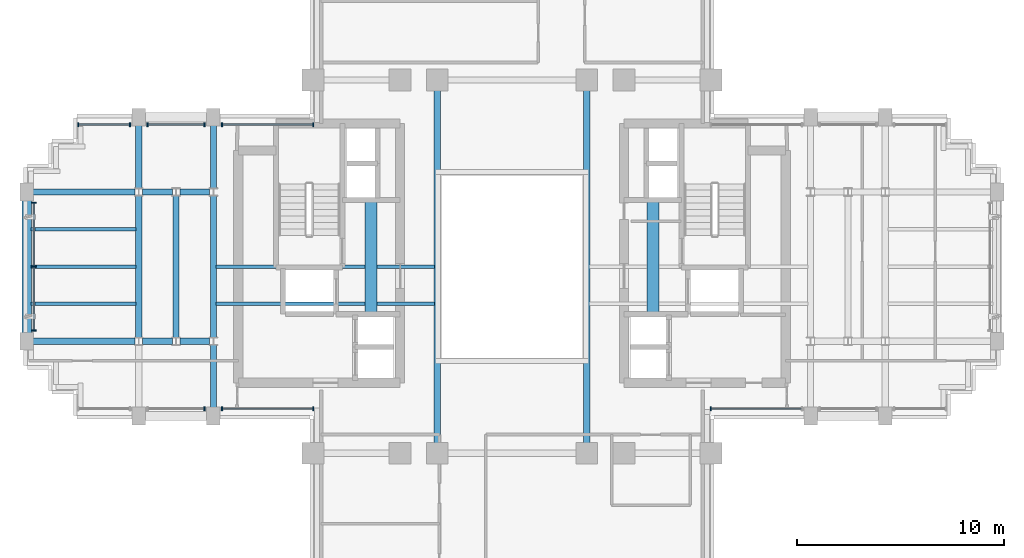
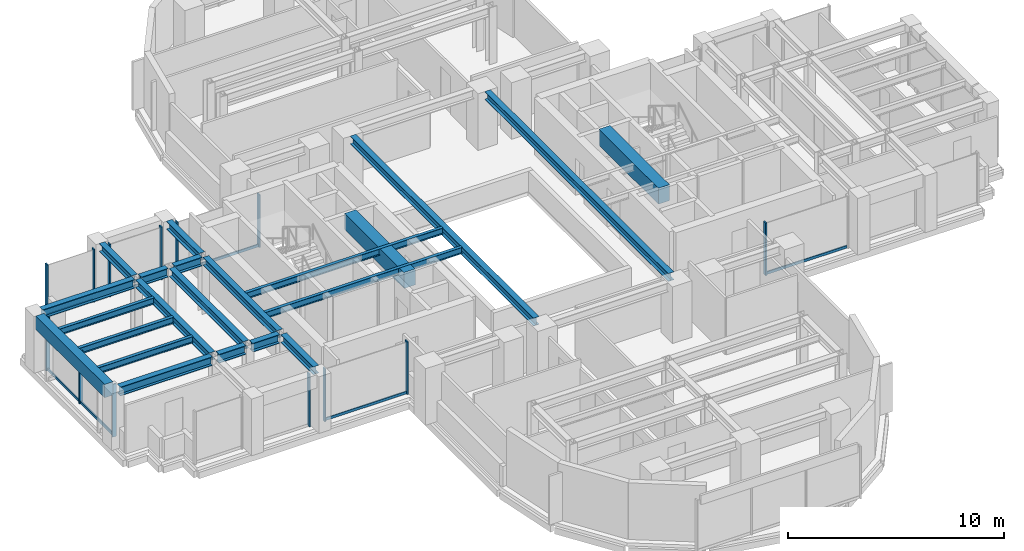
# One storey, part 4 of 14: 22 beams, 20 members, 7 elements without a shape of their own.
"""IFC4 building model written with IfcOpenShell, lengths in metres."""

from ifc_helpers import new_model, si_unit, direction, frame, origin, origin_2d, place, context, subcontext, project, spatial, rectangle, i_section, extrude, source, transform, mapped, material, material_profile, profile_set, type_object, element, aggregate, save


model = new_model("IFC4")

# Units and contexts
model_context = context("Model", 3, precision=1e-05, world=origin(), true_north=direction((0.0, 1.0)))
body_context = subcontext(model_context, "Body", "Model", "MODEL_VIEW")
ifc_project = project(units=[si_unit("LENGTHUNIT", "METRE"), si_unit("AREAUNIT", "SQUARE_METRE"), si_unit("VOLUMEUNIT", "CUBIC_METRE"), si_unit("PLANEANGLEUNIT", "RADIAN"), si_unit("MASSUNIT", "GRAM", prefix="KILO")], contexts=[model_context])

# Site, building, storey
site_placement = place(None, origin())
site = spatial("IfcSite", under=ifc_project, at=site_placement, CompositionType="ELEMENT")
building_placement = place(site_placement, origin())
building = spatial("IfcBuilding", under=site, at=building_placement, Name="Keilestroom Media Tower", CompositionType="ELEMENT")
storey_placement = place(building_placement, frame((0.0, 0.0, 134.60009765625)))
storey = spatial("IfcBuildingStorey", under=building, at=storey_placement, Name="L36", CompositionType="ELEMENT", Elevation=134.60009765625)

# Beams
ifc_material_1 = material(Name="Concrete C70/85", Category="concrete")
ifc_material_profile_1 = material_profile(ifc_material_1, rectangle(XDim=0.60009765625, YDim=0.89990234375, at=origin_2d()), Name="RC 600x900")
ifc_profile_set_1 = profile_set([ifc_material_profile_1], Name="Concrete C70/85")
beam_type_1 = type_object("IfcBeamType", Name="Core-Coupling-Lintel-Beam-RC-600x900", PredefinedType="LINTEL", material=ifc_profile_set_1)
shared_shape_1 = source(origin(), body_context, "Body", "SweptSolid", [
    extrude(rectangle(XDim=0.60009765625, YDim=0.89990234375, at=origin_2d()), origin(), (0.0, 0.0, 1.0), 5.52001953125),
])
for number, where, z_axis, x_axis, name in (
    (1, (-6.800048828125, -2.300048828125, 2.75), (0.0, 1.0, 0.0), (-1.0, 0.0, 0.0), "L36 Beam CLB-1 CLB-L36-W"),
    (2, (6.800048828125, -2.300048828125, 2.75), (0.0, 1.0, 0.0), (-1.0, 0.0, 0.0), "L36 Beam CLB-1 CLB-L36-E"),
):
    element("IfcBeam", number, at=place(storey_placement, frame(where, z_axis=z_axis, x_axis=x_axis)), inside=storey, type_object=beam_type_1, Name=name, PredefinedType="LINTEL", context=body_context, shape_type="MappedRepresentation", body=[
        mapped(shared_shape_1, transform((0.0, 0.0, 0.0), x_axis=(1.0, 0.0, 0.0), y_axis=(0.0, 1.0, 0.0), z_axis=(0.0, 0.0, 1.0), scale=1.0)),
    ])
ifc_material_2 = material(Name="Steel S355", Category="steel")
ifc_material_profile_2 = material_profile(ifc_material_2, i_section(OverallWidth=0.169921875, OverallDepth=0.360107421875, WebThickness=0.008056640625, FlangeThickness=0.0126953125, at=origin_2d()), Name="IPE 360")
ifc_profile_set_2 = profile_set([ifc_material_profile_2], Name="Steel S355")
beam_type_2 = type_object("IfcBeamType", Name="Secondary-Floor-Joist-IPE-360", PredefinedType="JOIST", material=ifc_profile_set_2)
shared_shape_2 = source(origin(), body_context, "Body", "SweptSolid", [
    extrude(i_section(OverallWidth=0.169921875, OverallDepth=0.360107421875, WebThickness=0.008056640625, FlangeThickness=0.0126953125, at=origin_2d()), origin(), (0.0, 0.0, 1.0), 10.5400390625),
])
for number, where, z_axis, x_axis, name in (
    (3, (-14.27001953125, -1.800048828125, 3.02001953125), (1.0, 0.0, 0.0), (0.0, 1.0, 0.0), "L36 Beam BJ-5 JST-L36-072"),
    (4, (-14.27001953125, 0.0, 3.02001953125), (1.0, 0.0, 0.0), (0.0, 1.0, 0.0), "L36 Beam BJ-5 JST-L36-077"),
):
    element("IfcBeam", number, at=place(storey_placement, frame(where, z_axis=z_axis, x_axis=x_axis)), inside=storey, type_object=beam_type_2, Name=name, PredefinedType="JOIST", context=body_context, shape_type="MappedRepresentation", body=[
        mapped(shared_shape_2, transform((0.0, 0.0, 0.0), x_axis=(1.0, 0.0, 0.0), y_axis=(0.0, 1.0, 0.0), z_axis=(0.0, 0.0, 1.0), scale=1.0)),
    ])
ifc_material_profile_3 = material_profile(ifc_material_2, i_section(OverallWidth=0.300048828125, OverallDepth=0.5, WebThickness=0.012451171875, FlangeThickness=0.028076171875, at=origin_2d()), Name="HEB 500")
ifc_profile_set_3 = profile_set([ifc_material_profile_3], Name="Steel S355")
beam_type_3 = type_object("IfcBeamType", Name="Primary-Structural-Girder-HEB-500", PredefinedType="BEAM", material=ifc_profile_set_3)
shared_shape_3 = source(origin(), body_context, "Body", "SweptSolid", [
    extrude(i_section(OverallWidth=0.300048828125, OverallDepth=0.5, WebThickness=0.012451171875, FlangeThickness=0.028076171875, at=origin_2d()), origin(), (0.0, 0.0, 1.0), 4.91455078125),
])
for number, where, z_axis, x_axis, name in (
    (5, (-23.094970703125, -3.60009765625, 2.949951171875), (1.0, 0.0, 0.0), (0.0, 1.0, 0.0), "L36 Beam BG-6 BM-L36-EW-014"),
    (6, (-23.094970703125, 3.60009765625, 2.949951171875), (1.0, 0.0, 0.0), (0.0, 1.0, 0.0), "L36 Beam BG-6 BM-L36-EW-020"),
):
    element("IfcBeam", number, at=place(storey_placement, frame(where, z_axis=z_axis, x_axis=x_axis)), inside=storey, type_object=beam_type_3, Name=name, PredefinedType="BEAM", context=body_context, shape_type="MappedRepresentation", body=[
        mapped(shared_shape_3, transform((0.0, 0.0, 0.0), x_axis=(1.0, 0.0, 0.0), y_axis=(0.0, 1.0, 0.0), z_axis=(0.0, 0.0, 1.0), scale=1.0)),
    ])
shared_shape_4 = source(origin(), body_context, "Body", "SweptSolid", [
    extrude(i_section(OverallWidth=0.300048828125, OverallDepth=0.5, WebThickness=0.012451171875, FlangeThickness=0.028076171875, at=origin_2d()), origin(), (0.0, 0.0, 1.0), 1.43896484375),
])
for number, where, z_axis, x_axis, name in (
    (7, (-17.819580078125, -3.60009765625, 2.949951171875), (1.0, 0.0, 0.0), (0.0, 1.0, 0.0), "L36 Beam BG-6 BM-L36-EW-015"),
    (8, (-16.01953125, -3.60009765625, 2.949951171875), (1.0, 0.0, 0.0), (0.0, 1.0, 0.0), "L36 Beam BG-6 BM-L36-EW-016"),
    (9, (-17.819580078125, 3.60009765625, 2.949951171875), (1.0, 0.0, 0.0), (0.0, 1.0, 0.0), "L36 Beam BG-6 BM-L36-EW-021"),
    (10, (-16.01953125, 3.60009765625, 2.949951171875), (1.0, 0.0, 0.0), (0.0, 1.0, 0.0), "L36 Beam BG-6 BM-L36-EW-022"),
):
    element("IfcBeam", number, at=place(storey_placement, frame(where, z_axis=z_axis, x_axis=x_axis)), inside=storey, type_object=beam_type_3, Name=name, PredefinedType="BEAM", context=body_context, shape_type="MappedRepresentation", body=[
        mapped(shared_shape_4, transform((0.0, 0.0, 0.0), x_axis=(1.0, 0.0, 0.0), y_axis=(0.0, 1.0, 0.0), z_axis=(0.0, 0.0, 1.0), scale=1.0)),
    ])
ifc_material_3 = material(Name="Precast concrete C40/50", Category="concrete")
ifc_material_profile_4 = material_profile(ifc_material_3, rectangle(XDim=0.449951171875, YDim=0.75, at=origin_2d()), Name="PC 450x750")
ifc_profile_set_4 = profile_set([ifc_material_profile_4], Name="Precast concrete C40/50")
beam_type_4 = type_object("IfcBeamType", Name="Perimeter-Spandrel-Beam-PC-450x750", PredefinedType="SPANDREL", material=ifc_profile_set_4)
shared_shape_5 = source(origin(), body_context, "Body", "SweptSolid", [
    extrude(rectangle(XDim=0.449951171875, YDim=0.75, at=origin_2d()), origin(), (0.0, 0.0, 1.0), 6.39013671875),
])
beam_placement = place(storey_placement, frame((-23.39990234375, -3.195068359375, 2.824951171875), z_axis=(0.0, 1.0, 0.0), x_axis=(-1.0, 0.0, 0.0)))
element("IfcBeam", 11, at=beam_placement, inside=storey, type_object=beam_type_4, Name="L36 Beam SPB-1 BM-L36-NS-039", PredefinedType="SPANDREL", context=body_context, shape_type="MappedRepresentation", body=[
    mapped(shared_shape_5, transform((0.0, 0.0, 0.0), x_axis=(1.0, 0.0, 0.0), y_axis=(0.0, 1.0, 0.0), z_axis=(0.0, 0.0, 1.0), scale=1.0)),
])
ifc_material_profile_5 = material_profile(ifc_material_2, i_section(OverallWidth=0.300048828125, OverallDepth=0.449951171875, WebThickness=0.011962890625, FlangeThickness=0.02587890625, at=origin_2d()), Name="HEB 450")
ifc_profile_set_5 = profile_set([ifc_material_profile_5], Name="Steel S355")
beam_type_5 = type_object("IfcBeamType", Name="Primary-Structural-Girder-HEB-450", PredefinedType="BEAM", material=ifc_profile_set_5)
shared_shape_6 = source(origin(), body_context, "Body", "SweptSolid", [
    extrude(i_section(OverallWidth=0.300048828125, OverallDepth=0.449951171875, WebThickness=0.011962890625, FlangeThickness=0.02587890625, at=origin_2d()), origin(), (0.0, 0.0, 1.0), 3.015380859375),
])
for number, where, z_axis, x_axis, name in (
    (12, (-18.0, 3.779541015625, 2.974853515625), (0.0, 1.0, 0.0), (-1.0, 0.0, 0.0), "L36 Beam BG-7 BM-L36-NS-042"),
    (13, (-14.39990234375, -6.794921875, 2.974853515625), (0.0, 1.0, 0.0), (-1.0, 0.0, 0.0), "L36 Beam BG-7 BM-L36-NS-044"),
    (14, (-14.39990234375, 3.779541015625, 2.974853515625), (0.0, 1.0, 0.0), (-1.0, 0.0, 0.0), "L36 Beam BG-7 BM-L36-NS-046"),
):
    element("IfcBeam", number, at=place(storey_placement, frame(where, z_axis=z_axis, x_axis=x_axis)), inside=storey, type_object=beam_type_5, Name=name, PredefinedType="BEAM", context=body_context, shape_type="MappedRepresentation", body=[
        mapped(shared_shape_6, transform((0.0, 0.0, 0.0), x_axis=(1.0, 0.0, 0.0), y_axis=(0.0, 1.0, 0.0), z_axis=(0.0, 0.0, 1.0), scale=1.0)),
    ])
shared_shape_7 = source(origin(), body_context, "Body", "SweptSolid", [
    extrude(i_section(OverallWidth=0.300048828125, OverallDepth=0.449951171875, WebThickness=0.011962890625, FlangeThickness=0.02587890625, at=origin_2d()), origin(), (0.0, 0.0, 1.0), 6.8408203125),
])
for number, where, z_axis, x_axis, name in (
    (15, (-18.0, -3.42041015625, 2.974853515625), (0.0, 1.0, 0.0), (-1.0, 0.0, 0.0), "L36 Beam BG-7 BM-L36-NS-041"),
    (16, (-16.199951171875, -3.42041015625, 2.974853515625), (0.0, 1.0, 0.0), (-1.0, 0.0, 0.0), "L36 Beam BG-7 BM-L36-NS-043"),
    (17, (-14.39990234375, -3.42041015625, 2.974853515625), (0.0, 1.0, 0.0), (-1.0, 0.0, 0.0), "L36 Beam BG-7 BM-L36-NS-045"),
):
    element("IfcBeam", number, at=place(storey_placement, frame(where, z_axis=z_axis, x_axis=x_axis)), inside=storey, type_object=beam_type_5, Name=name, PredefinedType="BEAM", context=body_context, shape_type="MappedRepresentation", body=[
        mapped(shared_shape_7, transform((0.0, 0.0, 0.0), x_axis=(1.0, 0.0, 0.0), y_axis=(0.0, 1.0, 0.0), z_axis=(0.0, 0.0, 1.0), scale=1.0)),
    ])
shared_shape_8 = source(origin(), body_context, "Body", "SweptSolid", [
    extrude(i_section(OverallWidth=0.300048828125, OverallDepth=0.449951171875, WebThickness=0.011962890625, FlangeThickness=0.02587890625, at=origin_2d()), origin(), (0.0, 0.0, 1.0), 16.990234375),
])
for number, where, z_axis, x_axis, name in (
    (18, (-3.60009765625, -8.4951171875, 2.974853515625), (0.0, 1.0, 0.0), (-1.0, 0.0, 0.0), "L36 Beam BG-7 BM-L36-NS-051"),
    (19, (3.60009765625, -8.4951171875, 2.974853515625), (0.0, 1.0, 0.0), (-1.0, 0.0, 0.0), "L36 Beam BG-7 BM-L36-NS-056"),
):
    element("IfcBeam", number, at=place(storey_placement, frame(where, z_axis=z_axis, x_axis=x_axis)), inside=storey, type_object=beam_type_5, Name=name, PredefinedType="BEAM", context=body_context, shape_type="MappedRepresentation", body=[
        mapped(shared_shape_8, transform((0.0, 0.0, 0.0), x_axis=(1.0, 0.0, 0.0), y_axis=(0.0, 1.0, 0.0), z_axis=(0.0, 0.0, 1.0), scale=1.0)),
    ])
shared_shape_9 = source(origin(), body_context, "Body", "SweptSolid", [
    extrude(i_section(OverallWidth=0.169921875, OverallDepth=0.360107421875, WebThickness=0.008056640625, FlangeThickness=0.0126953125, at=origin_2d()), origin(), (0.0, 0.0, 1.0), 5.065185546875),
])
for number, where, z_axis, x_axis, name in (
    (20, (-23.195068359375, -1.800048828125, 3.02001953125), (1.0, 0.0, 0.0), (0.0, 1.0, 0.0), "L36 Beam BJ-5 JST-L36-071"),
    (21, (-23.195068359375, 0.0, 3.02001953125), (1.0, 0.0, 0.0), (0.0, 1.0, 0.0), "L36 Beam BJ-5 JST-L36-076"),
    (22, (-23.195068359375, 1.800048828125, 3.02001953125), (1.0, 0.0, 0.0), (0.0, 1.0, 0.0), "L36 Beam BJ-5 JST-L36-081"),
):
    element("IfcBeam", number, at=place(storey_placement, frame(where, z_axis=z_axis, x_axis=x_axis)), inside=storey, type_object=beam_type_2, Name=name, PredefinedType="JOIST", context=body_context, shape_type="MappedRepresentation", body=[
        mapped(shared_shape_9, transform((0.0, 0.0, 0.0), x_axis=(1.0, 0.0, 0.0), y_axis=(0.0, 1.0, 0.0), z_axis=(0.0, 0.0, 1.0), scale=1.0)),
    ])

# Curtain wall, members
ifc_material_4 = material(Name="Anodised Aluminium Alloy", Category="aluminium")
curtain_wall_type = type_object("IfcCurtainWallType", Name="Unitised-Curtain-Wall-CW-2", PredefinedType="NOTDEFINED", material=ifc_material_4)
curtain_wall_1_placement = place(storey_placement, origin())
curtain_wall_1 = element("IfcCurtainWall", 23, at=curtain_wall_1_placement, inside=storey, type_object=curtain_wall_type, Name="L36 Curtain Wall CW-2 CW-L36-W-1", PredefinedType="NOTDEFINED")
ifc_material_profile_6 = material_profile(ifc_material_4, rectangle(XDim=0.070068359375, YDim=0.199951171875, at=origin_2d()), Name="ALU MULLION 70x200")
ifc_profile_set_6 = profile_set([ifc_material_profile_6], Name="Anodised Aluminium Alloy")
member_type_1 = type_object("IfcMemberType", Name="Curtain-Wall-Mullion-CW-2", PredefinedType="MULLION", material=ifc_profile_set_6)
shared_shape_10 = source(origin(), body_context, "Body", "SweptSolid", [
    extrude(rectangle(XDim=0.070068359375, YDim=0.199951171875, at=origin_2d()), origin(), (0.0, 0.0, 1.0), 2.97998046875),
])
member_1_placement = place(storey_placement, frame((-23.050048828125, -3.080078125, 0.0), z_axis=(0.0, 0.0, 1.0), x_axis=(0.0, 1.0, 0.0)))
member_1 = element("IfcMember", 24, at=member_1_placement, type_object=member_type_1, Name="CW-2 Mullion 00", PredefinedType="MULLION", context=body_context, shape_type="MappedRepresentation", body=[
    mapped(shared_shape_10, transform((0.0, 0.0, 0.0), x_axis=(1.0, 0.0, 0.0), y_axis=(0.0, 1.0, 0.0), z_axis=(0.0, 0.0, 1.0), scale=1.0)),
])
member_2_placement = place(storey_placement, frame((-23.050048828125, 0.0, 0.0), z_axis=(0.0, 0.0, 1.0), x_axis=(0.0, 1.0, 0.0)))
member_2 = element("IfcMember", 25, at=member_2_placement, type_object=member_type_1, Name="CW-2 Mullion 01", PredefinedType="MULLION", context=body_context, shape_type="MappedRepresentation", body=[
    mapped(shared_shape_10, transform((0.0, 0.0, 0.0), x_axis=(1.0, 0.0, 0.0), y_axis=(0.0, 1.0, 0.0), z_axis=(0.0, 0.0, 1.0), scale=1.0)),
])
member_3_placement = place(storey_placement, frame((-23.050048828125, 3.080078125, 0.0), z_axis=(0.0, 0.0, 1.0), x_axis=(0.0, 1.0, 0.0)))
member_3 = element("IfcMember", 26, at=member_3_placement, type_object=member_type_1, Name="CW-2 Mullion 02", PredefinedType="MULLION", context=body_context, shape_type="MappedRepresentation", body=[
    mapped(shared_shape_10, transform((0.0, 0.0, 0.0), x_axis=(1.0, 0.0, 0.0), y_axis=(0.0, 1.0, 0.0), z_axis=(0.0, 0.0, 1.0), scale=1.0)),
])

curtain_wall_2_placement = place(storey_placement, origin())
curtain_wall_2 = element("IfcCurtainWall", 27, at=curtain_wall_2_placement, inside=storey, type_object=curtain_wall_type, Name="L36 Curtain Wall CW-2 CW-L36-NW-1", PredefinedType="NOTDEFINED")
member_4_placement = place(storey_placement, frame((-20.9150390625, 6.85009765625, 0.0), z_axis=(0.0, 0.0, 1.0), x_axis=(1.0, 0.0, 0.0)))
member_4 = element("IfcMember", 28, at=member_4_placement, type_object=member_type_1, Name="CW-2 Mullion 00", PredefinedType="MULLION", context=body_context, shape_type="MappedRepresentation", body=[
    mapped(shared_shape_10, transform((0.0, 0.0, 0.0), x_axis=(1.0, 0.0, 0.0), y_axis=(0.0, 1.0, 0.0), z_axis=(0.0, 0.0, 1.0), scale=1.0)),
])
member_5_placement = place(storey_placement, frame((-18.419921875, 6.85009765625, 0.0), z_axis=(0.0, 0.0, 1.0), x_axis=(1.0, 0.0, 0.0)))
member_5 = element("IfcMember", 29, at=member_5_placement, type_object=member_type_1, Name="CW-2 Mullion 01", PredefinedType="MULLION", context=body_context, shape_type="MappedRepresentation", body=[
    mapped(shared_shape_10, transform((0.0, 0.0, 0.0), x_axis=(1.0, 0.0, 0.0), y_axis=(0.0, 1.0, 0.0), z_axis=(0.0, 0.0, 1.0), scale=1.0)),
])

curtain_wall_3_placement = place(storey_placement, origin())
curtain_wall_3 = element("IfcCurtainWall", 30, at=curtain_wall_3_placement, inside=storey, type_object=curtain_wall_type, Name="L36 Curtain Wall CW-2 CW-L36-NW-2", PredefinedType="NOTDEFINED")
member_6_placement = place(storey_placement, frame((-17.580078125, 6.85009765625, 0.0), z_axis=(0.0, 0.0, 1.0), x_axis=(1.0, 0.0, 0.0)))
member_6 = element("IfcMember", 31, at=member_6_placement, type_object=member_type_1, Name="CW-2 Mullion 00", PredefinedType="MULLION", context=body_context, shape_type="MappedRepresentation", body=[
    mapped(shared_shape_10, transform((0.0, 0.0, 0.0), x_axis=(1.0, 0.0, 0.0), y_axis=(0.0, 1.0, 0.0), z_axis=(0.0, 0.0, 1.0), scale=1.0)),
])
member_7_placement = place(storey_placement, frame((-14.820068359375, 6.85009765625, 0.0), z_axis=(0.0, 0.0, 1.0), x_axis=(1.0, 0.0, 0.0)))
member_7 = element("IfcMember", 32, at=member_7_placement, type_object=member_type_1, Name="CW-2 Mullion 01", PredefinedType="MULLION", context=body_context, shape_type="MappedRepresentation", body=[
    mapped(shared_shape_10, transform((0.0, 0.0, 0.0), x_axis=(1.0, 0.0, 0.0), y_axis=(0.0, 1.0, 0.0), z_axis=(0.0, 0.0, 1.0), scale=1.0)),
])

curtain_wall_4_placement = place(storey_placement, origin())
curtain_wall_4 = element("IfcCurtainWall", 33, at=curtain_wall_4_placement, inside=storey, type_object=curtain_wall_type, Name="L36 Curtain Wall CW-2 CW-L36-NW-3", PredefinedType="NOTDEFINED")
member_8_placement = place(storey_placement, frame((-13.97998046875, 6.85009765625, 0.0), z_axis=(0.0, 0.0, 1.0), x_axis=(1.0, 0.0, 0.0)))
member_8 = element("IfcMember", 34, at=member_8_placement, type_object=member_type_1, Name="CW-2 Mullion 00", PredefinedType="MULLION", context=body_context, shape_type="MappedRepresentation", body=[
    mapped(shared_shape_10, transform((0.0, 0.0, 0.0), x_axis=(1.0, 0.0, 0.0), y_axis=(0.0, 1.0, 0.0), z_axis=(0.0, 0.0, 1.0), scale=1.0)),
])
member_9_placement = place(storey_placement, frame((-9.5849609375, 6.85009765625, 0.0), z_axis=(0.0, 0.0, 1.0), x_axis=(1.0, 0.0, 0.0)))
member_9 = element("IfcMember", 35, at=member_9_placement, type_object=member_type_1, Name="CW-2 Mullion 01", PredefinedType="MULLION", context=body_context, shape_type="MappedRepresentation", body=[
    mapped(shared_shape_10, transform((0.0, 0.0, 0.0), x_axis=(1.0, 0.0, 0.0), y_axis=(0.0, 1.0, 0.0), z_axis=(0.0, 0.0, 1.0), scale=1.0)),
])

# Curtain wall, member
curtain_wall_5_placement = place(storey_placement, origin())
curtain_wall_5 = element("IfcCurtainWall", 36, at=curtain_wall_5_placement, inside=storey, type_object=curtain_wall_type, Name="L36 Curtain Wall CW-2 CW-L36-SW-2", PredefinedType="NOTDEFINED")
member_10_placement = place(storey_placement, frame((-14.820068359375, -6.85009765625, 0.0), z_axis=(0.0, 0.0, 1.0), x_axis=(1.0, 0.0, 0.0)))
member_10 = element("IfcMember", 37, at=member_10_placement, type_object=member_type_1, Name="CW-2 Mullion 01", PredefinedType="MULLION", context=body_context, shape_type="MappedRepresentation", body=[
    mapped(shared_shape_10, transform((0.0, 0.0, 0.0), x_axis=(1.0, 0.0, 0.0), y_axis=(0.0, 1.0, 0.0), z_axis=(0.0, 0.0, 1.0), scale=1.0)),
])
aggregate(curtain_wall_5, [member_10])

# Curtain wall, members
curtain_wall_6_placement = place(storey_placement, origin())
curtain_wall_6 = element("IfcCurtainWall", 38, at=curtain_wall_6_placement, inside=storey, type_object=curtain_wall_type, Name="L36 Curtain Wall CW-2 CW-L36-SW-3", PredefinedType="NOTDEFINED")
member_11_placement = place(storey_placement, frame((-13.97998046875, -6.85009765625, 0.0), z_axis=(0.0, 0.0, 1.0), x_axis=(1.0, 0.0, 0.0)))
member_11 = element("IfcMember", 39, at=member_11_placement, type_object=member_type_1, Name="CW-2 Mullion 00", PredefinedType="MULLION", context=body_context, shape_type="MappedRepresentation", body=[
    mapped(shared_shape_10, transform((0.0, 0.0, 0.0), x_axis=(1.0, 0.0, 0.0), y_axis=(0.0, 1.0, 0.0), z_axis=(0.0, 0.0, 1.0), scale=1.0)),
])
member_12_placement = place(storey_placement, frame((-9.5849609375, -6.85009765625, 0.0), z_axis=(0.0, 0.0, 1.0), x_axis=(1.0, 0.0, 0.0)))
member_12 = element("IfcMember", 40, at=member_12_placement, type_object=member_type_1, Name="CW-2 Mullion 01", PredefinedType="MULLION", context=body_context, shape_type="MappedRepresentation", body=[
    mapped(shared_shape_10, transform((0.0, 0.0, 0.0), x_axis=(1.0, 0.0, 0.0), y_axis=(0.0, 1.0, 0.0), z_axis=(0.0, 0.0, 1.0), scale=1.0)),
])

# Curtain wall, member
curtain_wall_7_placement = place(storey_placement, origin())
curtain_wall_7 = element("IfcCurtainWall", 41, at=curtain_wall_7_placement, inside=storey, type_object=curtain_wall_type, Name="L36 Curtain Wall CW-2 CW-L36-SE-1", PredefinedType="NOTDEFINED")
member_13_placement = place(storey_placement, frame((9.5849609375, -6.85009765625, 0.0), z_axis=(0.0, 0.0, 1.0), x_axis=(1.0, 0.0, 0.0)))
member_13 = element("IfcMember", 42, at=member_13_placement, type_object=member_type_1, Name="CW-2 Mullion 00", PredefinedType="MULLION", context=body_context, shape_type="MappedRepresentation", body=[
    mapped(shared_shape_10, transform((0.0, 0.0, 0.0), x_axis=(1.0, 0.0, 0.0), y_axis=(0.0, 1.0, 0.0), z_axis=(0.0, 0.0, 1.0), scale=1.0)),
])

# Member
ifc_material_profile_7 = material_profile(ifc_material_4, rectangle(XDim=0.06494140625, YDim=0.14990234375, at=origin_2d()), Name="ALU TRANSOM 65x150")
ifc_profile_set_7 = profile_set([ifc_material_profile_7], Name="Anodised Aluminium Alloy")
member_type_2 = type_object("IfcMemberType", Name="Curtain-Wall-Transom-CW-2", PredefinedType="USERDEFINED", material=ifc_profile_set_7)
shared_shape_11 = source(origin(), body_context, "Body", "SweptSolid", [
    extrude(rectangle(XDim=0.06494140625, YDim=0.14990234375, at=origin_2d()), origin(), (0.0, 0.0, 1.0), 2.42919921875),
])
member_14_placement = place(storey_placement, frame((-20.882080078125, 6.85009765625, 0.074951171875), z_axis=(1.0, 0.0, 0.0), x_axis=(0.0, 1.0, 0.0)))
member_14 = element("IfcMember", 43, at=member_14_placement, type_object=member_type_2, Name="CW-2 Transom 00.1", ObjectType="TRANSOM", PredefinedType="USERDEFINED", context=body_context, shape_type="MappedRepresentation", body=[
    mapped(shared_shape_11, transform((0.0, 0.0, 0.0), x_axis=(1.0, 0.0, 0.0), y_axis=(0.0, 1.0, 0.0), z_axis=(0.0, 0.0, 1.0), scale=1.0)),
])

aggregate(curtain_wall_2, [member_4, member_5, member_14])

shared_shape_12 = source(origin(), body_context, "Body", "SweptSolid", [
    extrude(rectangle(XDim=0.06494140625, YDim=0.14990234375, at=origin_2d()), origin(), (0.0, 0.0, 1.0), 2.694091796875),
])
member_15_placement = place(storey_placement, frame((-17.547119140625, 6.85009765625, 0.074951171875), z_axis=(1.0, 0.0, 0.0), x_axis=(0.0, 1.0, 0.0)))
member_15 = element("IfcMember", 44, at=member_15_placement, type_object=member_type_2, Name="CW-2 Transom 00.1", ObjectType="TRANSOM", PredefinedType="USERDEFINED", context=body_context, shape_type="MappedRepresentation", body=[
    mapped(shared_shape_12, transform((0.0, 0.0, 0.0), x_axis=(1.0, 0.0, 0.0), y_axis=(0.0, 1.0, 0.0), z_axis=(0.0, 0.0, 1.0), scale=1.0)),
])

aggregate(curtain_wall_3, [member_6, member_7, member_15])

shared_shape_13 = source(origin(), body_context, "Body", "SweptSolid", [
    extrude(rectangle(XDim=0.06494140625, YDim=0.14990234375, at=origin_2d()), origin(), (0.0, 0.0, 1.0), 4.3291015625),
])
member_16_placement = place(storey_placement, frame((-13.947021484375, 6.85009765625, 0.074951171875), z_axis=(1.0, 0.0, 0.0), x_axis=(0.0, 1.0, 0.0)))
member_16 = element("IfcMember", 45, at=member_16_placement, type_object=member_type_2, Name="CW-2 Transom 00.1", ObjectType="TRANSOM", PredefinedType="USERDEFINED", context=body_context, shape_type="MappedRepresentation", body=[
    mapped(shared_shape_13, transform((0.0, 0.0, 0.0), x_axis=(1.0, 0.0, 0.0), y_axis=(0.0, 1.0, 0.0), z_axis=(0.0, 0.0, 1.0), scale=1.0)),
])

aggregate(curtain_wall_4, [member_8, member_9, member_16])

member_17_placement = place(storey_placement, frame((-13.947021484375, -6.85009765625, 0.074951171875), z_axis=(1.0, 0.0, 0.0), x_axis=(0.0, 1.0, 0.0)))
member_17 = element("IfcMember", 46, at=member_17_placement, type_object=member_type_2, Name="CW-2 Transom 00.1", ObjectType="TRANSOM", PredefinedType="USERDEFINED", context=body_context, shape_type="MappedRepresentation", body=[
    mapped(shared_shape_13, transform((0.0, 0.0, 0.0), x_axis=(1.0, 0.0, 0.0), y_axis=(0.0, 1.0, 0.0), z_axis=(0.0, 0.0, 1.0), scale=1.0)),
])

aggregate(curtain_wall_6, [member_11, member_12, member_17])

member_18_placement = place(storey_placement, frame((9.617919921875, -6.85009765625, 0.074951171875), z_axis=(1.0, 0.0, 0.0), x_axis=(0.0, 1.0, 0.0)))
member_18 = element("IfcMember", 47, at=member_18_placement, type_object=member_type_2, Name="CW-2 Transom 00.1", ObjectType="TRANSOM", PredefinedType="USERDEFINED", context=body_context, shape_type="MappedRepresentation", body=[
    mapped(shared_shape_13, transform((0.0, 0.0, 0.0), x_axis=(1.0, 0.0, 0.0), y_axis=(0.0, 1.0, 0.0), z_axis=(0.0, 0.0, 1.0), scale=1.0)),
])

aggregate(curtain_wall_7, [member_13, member_18])

shared_shape_14 = source(origin(), body_context, "Body", "SweptSolid", [
    extrude(rectangle(XDim=0.06494140625, YDim=0.14990234375, at=origin_2d()), origin(), (0.0, 0.0, 1.0), 3.01416015625),
])
member_19_placement = place(storey_placement, frame((-23.050048828125, -3.047119140625, 0.074951171875), z_axis=(0.0, 1.0, 0.0), x_axis=(-1.0, 0.0, 0.0)))
member_19 = element("IfcMember", 48, at=member_19_placement, type_object=member_type_2, Name="CW-2 Transom 00.1", ObjectType="TRANSOM", PredefinedType="USERDEFINED", context=body_context, shape_type="MappedRepresentation", body=[
    mapped(shared_shape_14, transform((0.0, 0.0, 0.0), x_axis=(1.0, 0.0, 0.0), y_axis=(0.0, 1.0, 0.0), z_axis=(0.0, 0.0, 1.0), scale=1.0)),
])

member_20_placement = place(storey_placement, frame((-23.050048828125, 0.032958984375, 0.074951171875), z_axis=(0.0, 1.0, 0.0), x_axis=(-1.0, 0.0, 0.0)))
member_20 = element("IfcMember", 49, at=member_20_placement, type_object=member_type_2, Name="CW-2 Transom 01.1", ObjectType="TRANSOM", PredefinedType="USERDEFINED", context=body_context, shape_type="MappedRepresentation", body=[
    mapped(shared_shape_14, transform((0.0, 0.0, 0.0), x_axis=(1.0, 0.0, 0.0), y_axis=(0.0, 1.0, 0.0), z_axis=(0.0, 0.0, 1.0), scale=1.0)),
])

aggregate(curtain_wall_1, [member_1, member_2, member_3, member_19, member_20])

save(model, "model.ifc")
